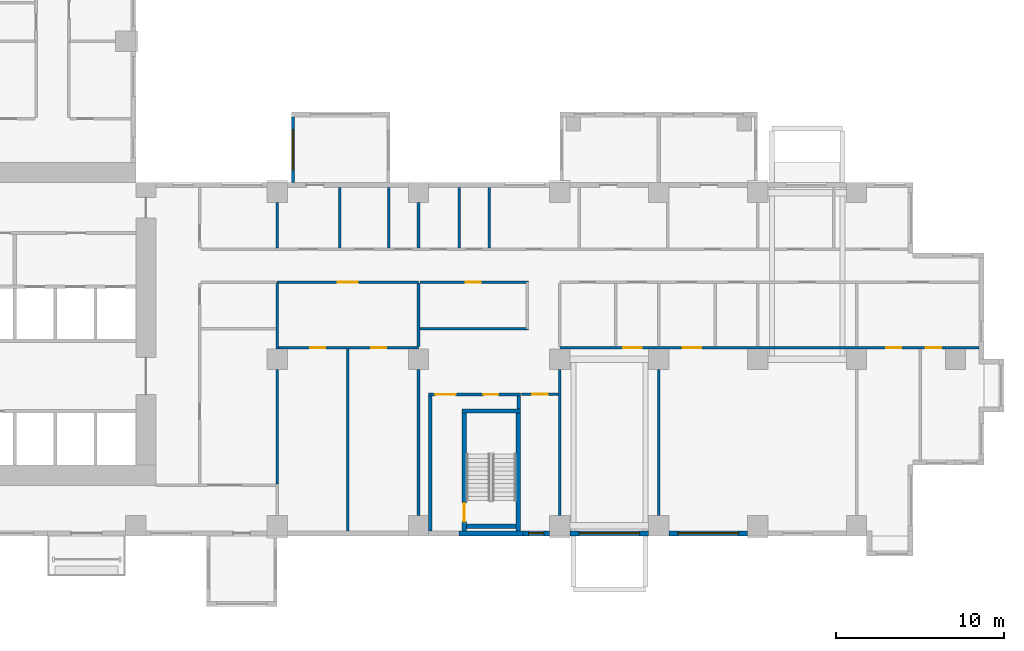
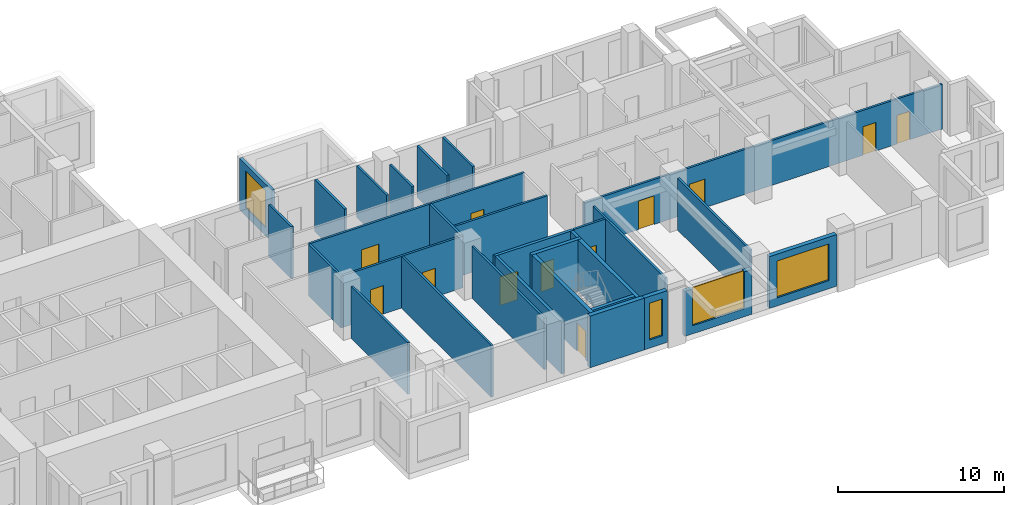
# One storey, part 6 of 17: 31 walls, 12 doors, 4 windows, 16 openings.
"""IFC4 building model written with IfcOpenShell, lengths in metres."""

from ifc_helpers import new_model, si_unit, direction, frame, frame_2d, origin, place, context, subcontext, project, spatial, rectangle, extrude, source, transform, mapped, material, layer, layer_set, type_object, element, fill, save


model = new_model("IFC4")

# Units and contexts
model_context = context("Model", 3, precision=1e-05, world=origin(), true_north=direction((0.0, 1.0)))
body_context = subcontext(model_context, "Body", "Model", "MODEL_VIEW")
ifc_project = project(units=[si_unit("LENGTHUNIT", "METRE"), si_unit("AREAUNIT", "SQUARE_METRE"), si_unit("VOLUMEUNIT", "CUBIC_METRE"), si_unit("PLANEANGLEUNIT", "RADIAN"), si_unit("MASSUNIT", "GRAM", prefix="KILO")], contexts=[model_context])

# Site, building, storey
site_placement = place(None, origin())
site = spatial("IfcSite", under=ifc_project, at=site_placement, CompositionType="ELEMENT")
building_placement = place(site_placement, origin())
building = spatial("IfcBuilding", under=site, at=building_placement, Name="Aurelian Terraces", CompositionType="ELEMENT")
storey_placement = place(building_placement, frame((0.0, 0.0, 69.9)))
storey = spatial("IfcBuildingStorey", under=building, at=storey_placement, Name="L14", CompositionType="ELEMENT", Elevation=69.9)

# Wall, opening, window
ifc_material_1 = material(Name="Terracotta rainscreen cladding", Category="masonry")
ifc_layer_1 = layer(ifc_material_1, 0.3)
ifc_layer_set_1 = layer_set([ifc_layer_1], Name="EW-300")
wall_type_1 = type_object("IfcWallType", Name="EW-300", PredefinedType="STANDARD", material=ifc_layer_set_1)
shared_shape_1 = source(origin(), body_context, "Body", "SweptSolid", [
    extrude(rectangle(XDim=4.68, YDim=0.3, at=frame_2d((2.34, 0.0))), origin(), (0.0, 0.0, 1.0), 3.8),
])
wall_1_placement = place(storey_placement, frame((52.68, 0.15, 0.0), z_axis=(0.0, 0.0, 1.0), x_axis=(1.0, 0.0, 0.0)))
wall_1 = element("IfcWall", 1, at=wall_1_placement, inside=storey, type_object=wall_type_1, Name="External wall L14 F01.9", PredefinedType="STANDARD", context=body_context, shape_type="MappedRepresentation", body=[
    mapped(shared_shape_1, transform((0.0, 0.0, 0.0), scale=1.0)),
])
shared_shape_2 = source(origin(), body_context, "Body", "SweptSolid", [
    extrude(rectangle(XDim=3.6, YDim=2.7, at=frame_2d((1.8, 1.35))), frame((0.0, 0.16, 0.0), z_axis=(0.0, -1.0, 0.0), x_axis=(1.0, 0.0, 0.0)), (0.0, 0.0, 1.0), 0.32),
])
opening_1_placement = place(wall_1_placement, frame((0.54, 0.0, 0.6)))
opening_1 = element("IfcOpeningElement", 2, at=opening_1_placement, cuts=wall_1, Name="Opening W3627", PredefinedType="OPENING", context=body_context, shape_type="MappedRepresentation", body=[
    mapped(shared_shape_2, transform((0.0, 0.0, 0.0), scale=1.0)),
])
ifc_material_2 = material(Name="Clear glazing", Category="glass")
window_type_1 = type_object("IfcWindowType", Name="W-3600x2700", PartitioningType="SINGLE_PANEL", PredefinedType="WINDOW", material=ifc_material_2)
shared_shape_3 = source(origin(), body_context, "Body", "SweptSolid", [
    extrude(rectangle(XDim=3.6, YDim=2.7, at=frame_2d((1.8, 1.35))), frame((0.0, 0.03, 0.0), z_axis=(0.0, -1.0, 0.0), x_axis=(1.0, 0.0, 0.0)), (0.0, 0.0, 1.0), 0.06),
])
window_1_placement = place(opening_1_placement, origin())
window_1 = element("IfcWindow", 3, at=window_1_placement, inside=storey, type_object=window_type_1, Name="Window L14 L14-F01-09-0", OverallHeight=2.7, OverallWidth=3.6, PartitioningType="SINGLE_PANEL", PredefinedType="WINDOW", context=body_context, shape_type="MappedRepresentation", body=[
    mapped(shared_shape_3, transform((0.0, 0.0, 0.0), scale=1.0)),
])
fill(opening_1, window_1)

shared_shape_4 = source(origin(), body_context, "Body", "SweptSolid", [
    extrude(rectangle(XDim=4.68, YDim=0.3, at=frame_2d((2.34, 0.0))), origin(), (0.0, 0.0, 1.0), 3.3),
])
wall_2_placement = place(storey_placement, frame((46.8, 0.15, 0.0), z_axis=(0.0, 0.0, 1.0), x_axis=(1.0, 0.0, 0.0)))
wall_2 = element("IfcWall", 4, at=wall_2_placement, inside=storey, type_object=wall_type_1, Name="External wall L14 F01.8", PredefinedType="STANDARD", context=body_context, shape_type="MappedRepresentation", body=[
    mapped(shared_shape_4, transform((0.0, 0.0, 0.0), scale=1.0)),
])
opening_2_placement = place(wall_2_placement, frame((0.54, 0.0, 0.6)))
opening_2 = element("IfcOpeningElement", 5, at=opening_2_placement, cuts=wall_2, Name="Opening W3627", PredefinedType="OPENING", context=body_context, shape_type="MappedRepresentation", body=[
    mapped(shared_shape_2, transform((0.0, 0.0, 0.0), scale=1.0)),
])
window_2_placement = place(opening_2_placement, origin())
window_2 = element("IfcWindow", 6, at=window_2_placement, inside=storey, type_object=window_type_1, Name="Window L14 L14-F01-08-0", OverallHeight=2.7, OverallWidth=3.6, PartitioningType="SINGLE_PANEL", PredefinedType="WINDOW", context=body_context, shape_type="MappedRepresentation", body=[
    mapped(shared_shape_3, transform((0.0, 0.0, 0.0), scale=1.0)),
])
fill(opening_2, window_2)

shared_shape_5 = source(origin(), body_context, "Body", "SweptSolid", [
    extrude(rectangle(XDim=1.6, YDim=0.3, at=frame_2d((0.8, 0.0))), origin(), (0.0, 0.0, 1.0), 3.8),
])
wall_3_placement = place(storey_placement, frame((44.0, 0.15, 0.0), z_axis=(0.0, 0.0, 1.0), x_axis=(1.0, 0.0, 0.0)))
wall_3 = element("IfcWall", 7, at=wall_3_placement, inside=storey, type_object=wall_type_1, Name="External wall L14 F01.7", PredefinedType="STANDARD", context=body_context, shape_type="MappedRepresentation", body=[
    mapped(shared_shape_5, transform((0.0, 0.0, 0.0), scale=1.0)),
])
shared_shape_6 = source(origin(), body_context, "Body", "SweptSolid", [
    extrude(rectangle(XDim=0.9, YDim=2.7, at=frame_2d((0.45, 1.35))), frame((0.0, 0.16, 0.0), z_axis=(0.0, -1.0, 0.0), x_axis=(1.0, 0.0, 0.0)), (0.0, 0.0, 1.0), 0.32),
])
opening_3_placement = place(wall_3_placement, frame((0.35, 0.0, 0.6)))
opening_3 = element("IfcOpeningElement", 8, at=opening_3_placement, cuts=wall_3, Name="Opening W0927", PredefinedType="OPENING", context=body_context, shape_type="MappedRepresentation", body=[
    mapped(shared_shape_6, transform((0.0, 0.0, 0.0), scale=1.0)),
])
window_type_2 = type_object("IfcWindowType", Name="W-900x2700", PartitioningType="SINGLE_PANEL", PredefinedType="WINDOW", material=ifc_material_2)
shared_shape_7 = source(origin(), body_context, "Body", "SweptSolid", [
    extrude(rectangle(XDim=0.9, YDim=2.7, at=frame_2d((0.45, 1.35))), frame((0.0, 0.03, 0.0), z_axis=(0.0, -1.0, 0.0), x_axis=(1.0, 0.0, 0.0)), (0.0, 0.0, 1.0), 0.06),
])
window_3_placement = place(opening_3_placement, origin())
window_3 = element("IfcWindow", 9, at=window_3_placement, inside=storey, type_object=window_type_2, Name="Window L14 L14-F01-07-P2", OverallHeight=2.7, OverallWidth=0.9, PartitioningType="SINGLE_PANEL", PredefinedType="WINDOW", context=body_context, shape_type="MappedRepresentation", body=[
    mapped(shared_shape_7, transform((0.0, 0.0, 0.0), scale=1.0)),
])
fill(opening_3, window_3)

# Wall
ifc_material_3 = material(Name="Concrete fc' 40 MPa", Category="concrete")
ifc_layer_2 = layer(ifc_material_3, 0.3)
ifc_layer_set_2 = layer_set([ifc_layer_2], Name="STAIR BAY WALL 300")
wall_type_2 = type_object("IfcWallType", Name="STAIR BAY WALL 300", PredefinedType="SOLIDWALL", material=ifc_layer_set_2)
shared_shape_8 = source(origin(), body_context, "Body", "SweptSolid", [
    extrude(rectangle(XDim=3.8, YDim=0.3, at=frame_2d((1.9, 0.0))), origin(), (0.0, 0.0, 1.0), 3.8),
])
wall_4_placement = place(storey_placement, frame((40.2, 0.15, 0.0), z_axis=(0.0, 0.0, 1.0), x_axis=(1.0, 0.0, 0.0)))
element("IfcWall", 10, at=wall_4_placement, inside=storey, type_object=wall_type_2, Name="Stair bay wall L14 F01.7", PredefinedType="SOLIDWALL", context=body_context, shape_type="MappedRepresentation", body=[
    mapped(shared_shape_8, transform((0.0, 0.0, 0.0), scale=1.0)),
])

# Wall, opening, window
ifc_layer_3 = layer(ifc_material_3, 0.2)
ifc_layer_set_3 = layer_set([ifc_layer_3], Name="BOX BEARING WALL 200")
wall_type_3 = type_object("IfcWallType", Name="BOX BEARING WALL 200", PredefinedType="SOLIDWALL", material=ifc_layer_set_3)
shared_shape_9 = source(origin(), body_context, "Body", "SweptSolid", [
    extrude(rectangle(XDim=3.9, YDim=0.2, at=frame_2d((1.95, 0.0))), origin(), (0.0, 0.0, 1.0), 3.8),
])
wall_5_placement = place(storey_placement, frame((30.34, 21.0, 0.0), z_axis=(0.0, 0.0, 1.0), x_axis=(0.0, 1.0, 0.0)))
wall_5 = element("IfcWall", 11, at=wall_5_placement, inside=storey, type_object=wall_type_3, Name="Box return L14 J13.2", PredefinedType="SOLIDWALL", context=body_context, shape_type="MappedRepresentation", body=[
    mapped(shared_shape_9, transform((0.0, 0.0, 0.0), scale=1.0)),
])
shared_shape_10 = source(origin(), body_context, "Body", "SweptSolid", [
    extrude(rectangle(XDim=2.4, YDim=2.7, at=frame_2d((1.2, 1.35))), frame((0.0, 0.11, 0.0), z_axis=(0.0, -1.0, 0.0), x_axis=(1.0, 0.0, 0.0)), (0.0, 0.0, 1.0), 0.22),
])
opening_4_placement = place(wall_5_placement, frame((0.75, 0.0, 0.6)))
opening_4 = element("IfcOpeningElement", 12, at=opening_4_placement, cuts=wall_5, Name="Opening W2427", PredefinedType="OPENING", context=body_context, shape_type="MappedRepresentation", body=[
    mapped(shared_shape_10, transform((0.0, 0.0, 0.0), scale=1.0)),
])
window_type_3 = type_object("IfcWindowType", Name="W-2400x2700", PartitioningType="SINGLE_PANEL", PredefinedType="WINDOW", material=ifc_material_2)
shared_shape_11 = source(origin(), body_context, "Body", "SweptSolid", [
    extrude(rectangle(XDim=2.4, YDim=2.7, at=frame_2d((1.2, 1.35))), frame((0.0, 0.03, 0.0), z_axis=(0.0, -1.0, 0.0), x_axis=(1.0, 0.0, 0.0)), (0.0, 0.0, 1.0), 0.06),
])
window_4_placement = place(opening_4_placement, origin())
window_4 = element("IfcWindow", 13, at=window_4_placement, inside=storey, type_object=window_type_3, Name="Window L14 J13-S2", OverallHeight=2.7, OverallWidth=2.4, PartitioningType="SINGLE_PANEL", PredefinedType="WINDOW", context=body_context, shape_type="MappedRepresentation", body=[
    mapped(shared_shape_11, transform((0.0, 0.0, 0.0), scale=1.0)),
])
fill(opening_4, window_4)

# Wall, opening, door
ifc_layer_4 = layer(ifc_material_3, 0.25)
ifc_layer_set_4 = layer_set([ifc_layer_4], Name="Stair enclosure wall 250")
wall_type_4 = type_object("IfcWallType", Name="Stair enclosure wall 250", PredefinedType="SOLIDWALL", material=ifc_layer_set_4)
shared_shape_12 = source(origin(), body_context, "Body", "SweptSolid", [
    extrude(rectangle(XDim=7.0, YDim=0.25, at=frame_2d((3.5, 0.0))), origin(), (0.0, 0.0, 1.0), 3.8),
])
wall_6_placement = place(storey_placement, frame((40.525, 0.3, 0.0), z_axis=(0.0, 0.0, 1.0), x_axis=(0.0, 1.0, 0.0)))
wall_6 = element("IfcWall", 14, at=wall_6_placement, inside=storey, type_object=wall_type_4, Name="L14 core wall ST-S2-W", PredefinedType="SOLIDWALL", context=body_context, shape_type="MappedRepresentation", body=[
    mapped(shared_shape_12, transform((0.0, 0.0, 0.0), scale=1.0)),
])
shared_shape_13 = source(origin(), body_context, "Body", "SweptSolid", [
    extrude(rectangle(XDim=1.1, YDim=2.1, at=frame_2d((0.55, 1.05))), frame((0.0, 0.135, 0.0), z_axis=(0.0, -1.0, 0.0), x_axis=(1.0, 0.0, 0.0)), (0.0, 0.0, 1.0), 0.27),
])
opening_5_placement = place(wall_6_placement, frame((0.55, 0.0, 0.0)))
opening_5 = element("IfcOpeningElement", 15, at=opening_5_placement, cuts=wall_6, Name="Opening 61715", PredefinedType="OPENING", context=body_context, shape_type="MappedRepresentation", body=[
    mapped(shared_shape_13, transform((0.0, 0.0, 0.0), scale=1.0)),
])
ifc_material_4 = material(Name="Steel door leaf", Category="steel")
door_type_1 = type_object("IfcDoorType", Name="Core fire door 1100x2100", OperationType="SINGLE_SWING_LEFT", PredefinedType="DOOR", material=ifc_material_4)
shared_shape_14 = source(origin(), body_context, "Body", "SweptSolid", [
    extrude(rectangle(XDim=1.1, YDim=2.1, at=frame_2d((0.55, 1.05))), frame((0.0, 0.025, 0.0), z_axis=(0.0, -1.0, 0.0), x_axis=(1.0, 0.0, 0.0)), (0.0, 0.0, 1.0), 0.05),
])
door_1_placement = place(opening_5_placement, origin())
door_1 = element("IfcDoor", 16, at=door_1_placement, inside=storey, type_object=door_type_1, Name="Stair door 61715", OperationType="SINGLE_SWING_LEFT", OverallHeight=2.1, OverallWidth=1.1, PredefinedType="DOOR", context=body_context, shape_type="MappedRepresentation", body=[
    mapped(shared_shape_14, transform((0.0, 0.0, 0.0), scale=1.0)),
])
fill(opening_5, door_1)

# Walls
wall_7_placement = place(storey_placement, frame((43.725, 0.3, 0.0), z_axis=(0.0, 0.0, 1.0), x_axis=(0.0, 1.0, 0.0)))
element("IfcWall", 17, at=wall_7_placement, inside=storey, type_object=wall_type_4, Name="L14 core wall ST-S2-E", PredefinedType="SOLIDWALL", context=body_context, shape_type="MappedRepresentation", body=[
    mapped(shared_shape_12, transform((0.0, 0.0, 0.0), scale=1.0)),
])
shared_shape_15 = source(origin(), body_context, "Body", "SweptSolid", [
    extrude(rectangle(XDim=3.45, YDim=0.25, at=frame_2d((1.725, 0.0))), origin(), (0.0, 0.0, 1.0), 3.8),
])
wall_8_placement = place(storey_placement, frame((40.4, 7.425, 0.0), z_axis=(0.0, 0.0, 1.0), x_axis=(1.0, 0.0, 0.0)))
element("IfcWall", 18, at=wall_8_placement, inside=storey, type_object=wall_type_4, Name="L14 core wall ST-S2-N", PredefinedType="SOLIDWALL", context=body_context, shape_type="MappedRepresentation", body=[
    mapped(shared_shape_15, transform((0.0, 0.0, 0.0), scale=1.0)),
])
shared_shape_16 = source(origin(), body_context, "Body", "SweptSolid", [
    extrude(rectangle(XDim=2.95, YDim=0.25, at=frame_2d((1.475, 0.0))), origin(), (0.0, 0.0, 1.0), 3.8),
])
wall_9_placement = place(storey_placement, frame((40.65, 0.575, 0.0), z_axis=(0.0, 0.0, 1.0), x_axis=(1.0, 0.0, 0.0)))
element("IfcWall", 19, at=wall_9_placement, inside=storey, type_object=wall_type_4, Name="L14 core wall ST-S2-SS", PredefinedType="SOLIDWALL", context=body_context, shape_type="MappedRepresentation", body=[
    mapped(shared_shape_16, transform((0.0, 0.0, 0.0), scale=1.0)),
])
ifc_material_5 = material(Name="Gypsum board on steel studs", Category="steel")
ifc_layer_5 = layer(ifc_material_5, 0.2)
ifc_layer_set_5 = layer_set([ifc_layer_5], Name="Core partition 200")
wall_type_5 = type_object("IfcWallType", Name="Core partition 200", PredefinedType="PARTITIONING", material=ifc_layer_set_5)
shared_shape_17 = source(origin(), body_context, "Body", "SweptSolid", [
    extrude(rectangle(XDim=8.0, YDim=0.2, at=frame_2d((4.0, 0.0))), origin(), (0.0, 0.0, 1.0), 3.8),
])
wall_10_placement = place(storey_placement, frame((38.5, 0.3, 0.0), z_axis=(0.0, 0.0, 1.0), x_axis=(0.0, 1.0, 0.0)))
element("IfcWall", 20, at=wall_10_placement, inside=storey, type_object=wall_type_5, Name="L14 core wall ST-S2-VW", PredefinedType="PARTITIONING", context=body_context, shape_type="MappedRepresentation", body=[
    mapped(shared_shape_17, transform((0.0, 0.0, 0.0), scale=1.0)),
])

# Wall, openings, doors
shared_shape_18 = source(origin(), body_context, "Body", "SweptSolid", [
    extrude(rectangle(XDim=5.45, YDim=0.2, at=frame_2d((2.725, 0.0))), origin(), (0.0, 0.0, 1.0), 3.8),
])
wall_11_placement = place(storey_placement, frame((38.4, 8.4, 0.0), z_axis=(0.0, 0.0, 1.0), x_axis=(1.0, 0.0, 0.0)))
wall_11 = element("IfcWall", 21, at=wall_11_placement, inside=storey, type_object=wall_type_5, Name="L14 core wall ST-S2-BN", PredefinedType="PARTITIONING", context=body_context, shape_type="MappedRepresentation", body=[
    mapped(shared_shape_18, transform((0.0, 0.0, 0.0), scale=1.0)),
])
shared_shape_19 = source(origin(), body_context, "Body", "SweptSolid", [
    extrude(rectangle(XDim=1.2, YDim=2.1, at=frame_2d((0.6, 1.05))), frame((0.0, 0.11, 0.0), z_axis=(0.0, -1.0, 0.0), x_axis=(1.0, 0.0, 0.0)), (0.0, 0.0, 1.0), 0.22),
])
opening_6_placement = place(wall_11_placement, frame((0.4, 0.0, 0.0)))
opening_6 = element("IfcOpeningElement", 22, at=opening_6_placement, cuts=wall_11, Name="Opening 61716", PredefinedType="OPENING", context=body_context, shape_type="MappedRepresentation", body=[
    mapped(shared_shape_19, transform((0.0, 0.0, 0.0), scale=1.0)),
])
shared_shape_20 = source(origin(), body_context, "Body", "SweptSolid", [
    extrude(rectangle(XDim=0.9, YDim=2.1, at=frame_2d((0.45, 1.05))), frame((0.0, 0.11, 0.0), z_axis=(0.0, -1.0, 0.0), x_axis=(1.0, 0.0, 0.0)), (0.0, 0.0, 1.0), 0.22),
])
opening_7_placement = place(wall_11_placement, frame((3.25, 0.0, 0.0)))
opening_7 = element("IfcOpeningElement", 23, at=opening_7_placement, cuts=wall_11, Name="Opening 61717", PredefinedType="OPENING", context=body_context, shape_type="MappedRepresentation", body=[
    mapped(shared_shape_20, transform((0.0, 0.0, 0.0), scale=1.0)),
])
door_type_2 = type_object("IfcDoorType", Name="Core riser door 900x2100", OperationType="SINGLE_SWING_LEFT", PredefinedType="DOOR", material=ifc_material_4)
shared_shape_21 = source(origin(), body_context, "Body", "SweptSolid", [
    extrude(rectangle(XDim=0.9, YDim=2.1, at=frame_2d((0.45, 1.05))), frame((0.0, 0.025, 0.0), z_axis=(0.0, -1.0, 0.0), x_axis=(1.0, 0.0, 0.0)), (0.0, 0.0, 1.0), 0.05),
])
door_2_placement = place(opening_7_placement, origin())
door_2 = element("IfcDoor", 24, at=door_2_placement, inside=storey, type_object=door_type_2, Name="Riser door 61717", OperationType="SINGLE_SWING_LEFT", OverallHeight=2.1, OverallWidth=0.9, PredefinedType="DOOR", context=body_context, shape_type="MappedRepresentation", body=[
    mapped(shared_shape_21, transform((0.0, 0.0, 0.0), scale=1.0)),
])
fill(opening_7, door_2)
door_type_3 = type_object("IfcDoorType", Name="Core fire door 1200x2100 right", OperationType="SINGLE_SWING_RIGHT", PredefinedType="DOOR", material=ifc_material_4)
shared_shape_22 = source(origin(), body_context, "Body", "SweptSolid", [
    extrude(rectangle(XDim=1.2, YDim=2.1, at=frame_2d((0.6, 1.05))), frame((0.0, 0.025, 0.0), z_axis=(0.0, -1.0, 0.0), x_axis=(1.0, 0.0, 0.0)), (0.0, 0.0, 1.0), 0.05),
])
door_3_placement = place(opening_6_placement, origin())
door_3 = element("IfcDoor", 25, at=door_3_placement, inside=storey, type_object=door_type_3, Name="Vestibule door 61716", OperationType="SINGLE_SWING_RIGHT", OverallHeight=2.1, OverallWidth=1.2, PredefinedType="DOOR", context=body_context, shape_type="MappedRepresentation", body=[
    mapped(shared_shape_22, transform((0.0, 0.0, 0.0), scale=1.0)),
])
fill(opening_6, door_3)

# Walls
shared_shape_23 = source(origin(), body_context, "Body", "SweptSolid", [
    extrude(rectangle(XDim=0.75, YDim=0.2, at=frame_2d((0.375, 0.0))), origin(), (0.0, 0.0, 1.0), 3.8),
])
wall_12_placement = place(storey_placement, frame((43.75, 7.55, 0.0), z_axis=(0.0, 0.0, 1.0), x_axis=(0.0, 1.0, 0.0)))
element("IfcWall", 26, at=wall_12_placement, inside=storey, type_object=wall_type_5, Name="L14 core wall ST-S2-RE", PredefinedType="PARTITIONING", context=body_context, shape_type="MappedRepresentation", body=[
    mapped(shared_shape_23, transform((0.0, 0.0, 0.0), scale=1.0)),
])
ifc_layer_6 = layer(ifc_material_5, 0.15)
ifc_layer_set_6 = layer_set([ifc_layer_6], Name="Partition 150")
wall_type_6 = type_object("IfcWallType", Name="Partition 150", PredefinedType="PARTITIONING", material=ifc_layer_set_6)
shared_shape_24 = source(origin(), body_context, "Body", "SweptSolid", [
    extrude(rectangle(XDim=6.45, YDim=0.15, at=frame_2d((3.225, 0.0))), origin(), (0.0, 0.0, 1.0), 3.8),
])
wall_13_placement = place(storey_placement, frame((37.875, 12.3, 0.0), z_axis=(0.0, 0.0, 1.0), x_axis=(1.0, 0.0, 0.0)))
element("IfcWall", 27, at=wall_13_placement, inside=storey, type_object=wall_type_6, Name="Partition", PredefinedType="PARTITIONING", context=body_context, shape_type="MappedRepresentation", body=[
    mapped(shared_shape_24, transform((0.0, 0.0, 0.0), scale=1.0)),
])

# Wall, opening, door
ifc_layer_7 = layer(ifc_material_5, 0.15)
ifc_layer_set_7 = layer_set([ifc_layer_7], Name="Fire partition 150")
wall_type_7 = type_object("IfcWallType", Name="Fire partition 150", PredefinedType="PARTITIONING", material=ifc_layer_set_7)
wall_14_placement = place(storey_placement, frame((44.325, 15.075, 0.0), z_axis=(0.0, 0.0, 1.0), x_axis=(-1.0, 0.0, 0.0)))
wall_14 = element("IfcWall", 28, at=wall_14_placement, inside=storey, type_object=wall_type_7, Name="Corridor wall", PredefinedType="PARTITIONING", context=body_context, shape_type="MappedRepresentation", body=[
    mapped(shared_shape_24, transform((0.0, 0.0, 0.0), scale=1.0)),
])
shared_shape_25 = source(origin(), body_context, "Body", "SweptSolid", [
    extrude(rectangle(XDim=0.9, YDim=2.1, at=frame_2d((0.45, 1.05))), frame((0.0, 0.085, 0.0), z_axis=(0.0, -1.0, 0.0), x_axis=(1.0, 0.0, 0.0)), (0.0, 0.0, 1.0), 0.17),
])
opening_8_placement = place(wall_14_placement, frame((2.8125, 0.0, 0.0)))
opening_8 = element("IfcOpeningElement", 29, at=opening_8_placement, cuts=wall_14, Name="Opening 714005", PredefinedType="OPENING", context=body_context, shape_type="MappedRepresentation", body=[
    mapped(shared_shape_25, transform((0.0, 0.0, 0.0), scale=1.0)),
])
ifc_material_6 = material(Name="Timber door leaf", Category="wood")
door_type_4 = type_object("IfcDoorType", Name="Room door 900x2100 right", OperationType="SINGLE_SWING_RIGHT", PredefinedType="DOOR", material=ifc_material_6)
door_4_placement = place(opening_8_placement, origin())
door_4 = element("IfcDoor", 30, at=door_4_placement, inside=storey, type_object=door_type_4, Name="Door 714005", OperationType="SINGLE_SWING_RIGHT", OverallHeight=2.1, OverallWidth=0.9, PredefinedType="DOOR", context=body_context, shape_type="MappedRepresentation", body=[
    mapped(shared_shape_21, transform((0.0, 0.0, 0.0), scale=1.0)),
])
fill(opening_8, door_4)

# Walls
shared_shape_26 = source(origin(), body_context, "Body", "SweptSolid", [
    extrude(rectangle(XDim=3.75, YDim=0.15, at=frame_2d((1.875, 0.0))), origin(), (0.0, 0.0, 1.0), 3.8),
])
wall_15_placement = place(storey_placement, frame((37.8, 11.25, 0.0), z_axis=(0.0, 0.0, 1.0), x_axis=(0.0, 1.0, 0.0)))
element("IfcWall", 31, at=wall_15_placement, inside=storey, type_object=wall_type_6, Name="Partition", PredefinedType="PARTITIONING", context=body_context, shape_type="MappedRepresentation", body=[
    mapped(shared_shape_26, transform((0.0, 0.0, 0.0), scale=1.0)),
])
shared_shape_27 = source(origin(), body_context, "Body", "SweptSolid", [
    extrude(rectangle(XDim=8.702, YDim=0.15, at=frame_2d((4.351, 0.0))), origin(), (0.0, 0.0, 1.0), 3.8),
])
for number, where, z_axis, x_axis, name in (
    (32, (37.8, 1.199, 0.0), (0.0, 0.0, 1.0), (0.0, 1.0, 0.0), "Partition"),
    (33, (46.2, 1.199, 0.0), (0.0, 0.0, 1.0), (0.0, 1.0, 0.0), "Partition"),
    (34, (52.08, 1.199, 0.0), (0.0, 0.0, 1.0), (0.0, 1.0, 0.0), "Partition"),
):
    element("IfcWall", number, at=place(storey_placement, frame(where, z_axis=z_axis, x_axis=x_axis)), inside=storey, type_object=wall_type_6, Name=name, PredefinedType="PARTITIONING", context=body_context, shape_type="MappedRepresentation", body=[
        mapped(shared_shape_27, transform((0.0, 0.0, 0.0), scale=1.0)),
    ])
shared_shape_28 = source(origin(), body_context, "Body", "SweptSolid", [
    extrude(rectangle(XDim=3.6, YDim=0.15, at=frame_2d((1.8, 0.0))), origin(), (0.0, 0.0, 1.0), 3.8),
])
for number, where, z_axis, x_axis, name in (
    (35, (33.1133, 20.7, 0.0), (0.0, 0.0, 1.0), (0.0, -1.0, 0.0), "Partition"),
    (36, (36.024, 20.7, 0.0), (0.0, 0.0, 1.0), (0.0, -1.0, 0.0), "Partition"),
    (37, (40.2157, 20.7, 0.0), (0.0, 0.0, 1.0), (0.0, -1.0, 0.0), "Partition"),
    (38, (42.0, 17.1, 0.0), (0.0, 0.0, 1.0), (0.0, 1.0, 0.0), "Partition"),
):
    element("IfcWall", number, at=place(storey_placement, frame(where, z_axis=z_axis, x_axis=x_axis)), inside=storey, type_object=wall_type_6, Name=name, PredefinedType="PARTITIONING", context=body_context, shape_type="MappedRepresentation", body=[
        mapped(shared_shape_28, transform((0.0, 0.0, 0.0), scale=1.0)),
    ])
shared_shape_29 = source(origin(), body_context, "Body", "SweptSolid", [
    extrude(rectangle(XDim=2.701, YDim=0.15, at=frame_2d((1.3505, 0.0))), origin(), (0.0, 0.0, 1.0), 3.8),
])
for number, where, z_axis, x_axis, name in (
    (39, (29.4, 17.1, 0.0), (0.0, 0.0, 1.0), (0.0, 1.0, 0.0), "Partition"),
    (40, (37.8, 17.1, 0.0), (0.0, 0.0, 1.0), (0.0, 1.0, 0.0), "Partition"),
):
    element("IfcWall", number, at=place(storey_placement, frame(where, z_axis=z_axis, x_axis=x_axis)), inside=storey, type_object=wall_type_6, Name=name, PredefinedType="PARTITIONING", context=body_context, shape_type="MappedRepresentation", body=[
        mapped(shared_shape_29, transform((0.0, 0.0, 0.0), scale=1.0)),
    ])

# Wall, openings, doors
shared_shape_30 = source(origin(), body_context, "Body", "SweptSolid", [
    extrude(rectangle(XDim=8.4, YDim=0.15, at=frame_2d((4.2, 0.0))), origin(), (0.0, 0.0, 1.0), 3.8),
])
wall_16_placement = place(storey_placement, frame((37.8, 11.175, 0.0), z_axis=(0.0, 0.0, 1.0), x_axis=(-1.0, 0.0, 0.0)))
wall_16 = element("IfcWall", 41, at=wall_16_placement, inside=storey, type_object=wall_type_6, Name="Partition", PredefinedType="PARTITIONING", context=body_context, shape_type="MappedRepresentation", body=[
    mapped(shared_shape_30, transform((0.0, 0.0, 0.0), scale=1.0)),
])
opening_9_placement = place(wall_16_placement, frame((5.5375, 0.0, 0.0)))
opening_9 = element("IfcOpeningElement", 42, at=opening_9_placement, cuts=wall_16, Name="Opening 714008", PredefinedType="OPENING", context=body_context, shape_type="MappedRepresentation", body=[
    mapped(shared_shape_25, transform((0.0, 0.0, 0.0), scale=1.0)),
])
opening_10_placement = place(wall_16_placement, frame((1.9125, 0.0, 0.0)))
opening_10 = element("IfcOpeningElement", 43, at=opening_10_placement, cuts=wall_16, Name="Opening 714009", PredefinedType="OPENING", context=body_context, shape_type="MappedRepresentation", body=[
    mapped(shared_shape_25, transform((0.0, 0.0, 0.0), scale=1.0)),
])
door_5_placement = place(opening_9_placement, origin())
door_5 = element("IfcDoor", 44, at=door_5_placement, inside=storey, type_object=door_type_4, Name="Door 714008", OperationType="SINGLE_SWING_RIGHT", OverallHeight=2.1, OverallWidth=0.9, PredefinedType="DOOR", context=body_context, shape_type="MappedRepresentation", body=[
    mapped(shared_shape_21, transform((0.0, 0.0, 0.0), scale=1.0)),
])
fill(opening_9, door_5)
door_type_5 = type_object("IfcDoorType", Name="Room door 900x2100 left", OperationType="SINGLE_SWING_LEFT", PredefinedType="DOOR", material=ifc_material_6)
door_6_placement = place(opening_10_placement, origin())
door_6 = element("IfcDoor", 45, at=door_6_placement, inside=storey, type_object=door_type_5, Name="Door 714009", OperationType="SINGLE_SWING_LEFT", OverallHeight=2.1, OverallWidth=0.9, PredefinedType="DOOR", context=body_context, shape_type="MappedRepresentation", body=[
    mapped(shared_shape_21, transform((0.0, 0.0, 0.0), scale=1.0)),
])
fill(opening_10, door_6)

# Wall, opening, door
wall_17_placement = place(storey_placement, frame((37.8, 15.075, 0.0), z_axis=(0.0, 0.0, 1.0), x_axis=(-1.0, 0.0, 0.0)))
wall_17 = element("IfcWall", 46, at=wall_17_placement, inside=storey, type_object=wall_type_7, Name="Corridor wall", PredefinedType="PARTITIONING", context=body_context, shape_type="MappedRepresentation", body=[
    mapped(shared_shape_30, transform((0.0, 0.0, 0.0), scale=1.0)),
])
shared_shape_31 = source(origin(), body_context, "Body", "SweptSolid", [
    extrude(rectangle(XDim=1.2, YDim=2.1, at=frame_2d((0.6, 1.05))), frame((0.0, 0.085, 0.0), z_axis=(0.0, -1.0, 0.0), x_axis=(1.0, 0.0, 0.0)), (0.0, 0.0, 1.0), 0.17),
])
opening_11_placement = place(wall_17_placement, frame((3.6, 0.0, 0.0)))
opening_11 = element("IfcOpeningElement", 47, at=opening_11_placement, cuts=wall_17, Name="Opening 714007", PredefinedType="OPENING", context=body_context, shape_type="MappedRepresentation", body=[
    mapped(shared_shape_31, transform((0.0, 0.0, 0.0), scale=1.0)),
])
door_type_6 = type_object("IfcDoorType", Name="Room door 1200x2100 left", OperationType="SINGLE_SWING_LEFT", PredefinedType="DOOR", material=ifc_material_6)
door_7_placement = place(opening_11_placement, origin())
door_7 = element("IfcDoor", 48, at=door_7_placement, inside=storey, type_object=door_type_6, Name="Door 714007", OperationType="SINGLE_SWING_LEFT", OverallHeight=2.1, OverallWidth=1.2, PredefinedType="DOOR", context=body_context, shape_type="MappedRepresentation", body=[
    mapped(shared_shape_22, transform((0.0, 0.0, 0.0), scale=1.0)),
])
fill(opening_11, door_7)

# Walls
shared_shape_32 = source(origin(), body_context, "Body", "SweptSolid", [
    extrude(rectangle(XDim=6.826, YDim=0.15, at=frame_2d((3.413, 0.0))), origin(), (0.0, 0.0, 1.0), 3.8),
])
wall_18_placement = place(storey_placement, frame((29.4, 3.075, 0.0), z_axis=(0.0, 0.0, 1.0), x_axis=(0.0, 1.0, 0.0)))
element("IfcWall", 49, at=wall_18_placement, inside=storey, type_object=wall_type_6, Name="Partition", PredefinedType="PARTITIONING", context=body_context, shape_type="MappedRepresentation", body=[
    mapped(shared_shape_32, transform((0.0, 0.0, 0.0), scale=1.0)),
])
shared_shape_33 = source(origin(), body_context, "Body", "SweptSolid", [
    extrude(rectangle(XDim=3.901, YDim=0.15, at=frame_2d((1.9505, 0.0))), origin(), (0.0, 0.0, 1.0), 3.8),
])
wall_19_placement = place(storey_placement, frame((29.4, 11.099, 0.0), z_axis=(0.0, 0.0, 1.0), x_axis=(0.0, 1.0, 0.0)))
element("IfcWall", 50, at=wall_19_placement, inside=storey, type_object=wall_type_6, Name="Partition", PredefinedType="PARTITIONING", context=body_context, shape_type="MappedRepresentation", body=[
    mapped(shared_shape_33, transform((0.0, 0.0, 0.0), scale=1.0)),
])

# Wall, opening, door
shared_shape_34 = source(origin(), body_context, "Body", "SweptSolid", [
    extrude(rectangle(XDim=2.2, YDim=0.15, at=frame_2d((1.1, 0.0))), origin(), (0.0, 0.0, 1.0), 3.8),
])
wall_20_placement = place(storey_placement, frame((46.125, 8.425, 0.0), z_axis=(0.0, 0.0, 1.0), x_axis=(-1.0, 0.0, 0.0)))
wall_20 = element("IfcWall", 51, at=wall_20_placement, inside=storey, type_object=wall_type_6, Name="Partition", PredefinedType="PARTITIONING", context=body_context, shape_type="MappedRepresentation", body=[
    mapped(shared_shape_34, transform((0.0, 0.0, 0.0), scale=1.0)),
])
opening_12_placement = place(wall_20_placement, frame((0.65, 0.0, 0.0)))
opening_12 = element("IfcOpeningElement", 52, at=opening_12_placement, cuts=wall_20, Name="Opening 714006", PredefinedType="OPENING", context=body_context, shape_type="MappedRepresentation", body=[
    mapped(shared_shape_25, transform((0.0, 0.0, 0.0), scale=1.0)),
])
door_8_placement = place(opening_12_placement, origin())
door_8 = element("IfcDoor", 53, at=door_8_placement, inside=storey, type_object=door_type_4, Name="Door 714006", OperationType="SINGLE_SWING_RIGHT", OverallHeight=2.1, OverallWidth=0.9, PredefinedType="DOOR", context=body_context, shape_type="MappedRepresentation", body=[
    mapped(shared_shape_21, transform((0.0, 0.0, 0.0), scale=1.0)),
])
fill(opening_12, door_8)

# Wall
shared_shape_35 = source(origin(), body_context, "Body", "SweptSolid", [
    extrude(rectangle(XDim=10.8, YDim=0.15, at=frame_2d((5.4, 0.0))), origin(), (0.0, 0.0, 1.0), 3.8),
])
wall_21_placement = place(storey_placement, frame((33.6, 0.3, 0.0), z_axis=(0.0, 0.0, 1.0), x_axis=(0.0, 1.0, 0.0)))
element("IfcWall", 54, at=wall_21_placement, inside=storey, type_object=wall_type_6, Name="Partition", PredefinedType="PARTITIONING", context=body_context, shape_type="MappedRepresentation", body=[
    mapped(shared_shape_35, transform((0.0, 0.0, 0.0), scale=1.0)),
])

# Wall, openings, doors
shared_shape_36 = source(origin(), body_context, "Body", "SweptSolid", [
    extrude(rectangle(XDim=24.9, YDim=0.15, at=frame_2d((12.45, 0.0))), origin(), (0.0, 0.0, 1.0), 3.3),
])
wall_22_placement = place(storey_placement, frame((71.1, 11.175, 0.0), z_axis=(0.0, 0.0, 1.0), x_axis=(-1.0, 0.0, 0.0)))
wall_22 = element("IfcWall", 55, at=wall_22_placement, inside=storey, type_object=wall_type_6, Name="Partition", PredefinedType="PARTITIONING", context=body_context, shape_type="MappedRepresentation", body=[
    mapped(shared_shape_36, transform((0.0, 0.0, 0.0), scale=1.0)),
])
shared_shape_37 = source(origin(), body_context, "Body", "SweptSolid", [
    extrude(rectangle(XDim=1.1, YDim=2.1, at=frame_2d((0.55, 1.05))), frame((0.0, 0.085, 0.0), z_axis=(0.0, -1.0, 0.0), x_axis=(1.0, 0.0, 0.0)), (0.0, 0.0, 1.0), 0.17),
])
opening_13_placement = place(wall_22_placement, frame((20.0167, 0.0, 0.0)))
opening_13 = element("IfcOpeningElement", 56, at=opening_13_placement, cuts=wall_22, Name="Opening 714011", PredefinedType="OPENING", context=body_context, shape_type="MappedRepresentation", body=[
    mapped(shared_shape_37, transform((0.0, 0.0, 0.0), scale=1.0)),
])
opening_14_placement = place(wall_22_placement, frame((16.4811, 0.0, 0.0)))
opening_14 = element("IfcOpeningElement", 57, at=opening_14_placement, cuts=wall_22, Name="Opening 714014", PredefinedType="OPENING", context=body_context, shape_type="MappedRepresentation", body=[
    mapped(shared_shape_37, transform((0.0, 0.0, 0.0), scale=1.0)),
])
opening_15_placement = place(wall_22_placement, frame((4.6075, 0.0, 0.0)))
opening_15 = element("IfcOpeningElement", 58, at=opening_15_placement, cuts=wall_22, Name="Opening 714018", PredefinedType="OPENING", context=body_context, shape_type="MappedRepresentation", body=[
    mapped(shared_shape_25, transform((0.0, 0.0, 0.0), scale=1.0)),
])
opening_16_placement = place(wall_22_placement, frame((2.2425, 0.0, 0.0)))
opening_16 = element("IfcOpeningElement", 59, at=opening_16_placement, cuts=wall_22, Name="Opening 714019", PredefinedType="OPENING", context=body_context, shape_type="MappedRepresentation", body=[
    mapped(shared_shape_25, transform((0.0, 0.0, 0.0), scale=1.0)),
])
door_9_placement = place(opening_15_placement, origin())
door_9 = element("IfcDoor", 60, at=door_9_placement, inside=storey, type_object=door_type_4, Name="Door 714018", OperationType="SINGLE_SWING_RIGHT", OverallHeight=2.1, OverallWidth=0.9, PredefinedType="DOOR", context=body_context, shape_type="MappedRepresentation", body=[
    mapped(shared_shape_21, transform((0.0, 0.0, 0.0), scale=1.0)),
])
fill(opening_15, door_9)
door_10_placement = place(opening_16_placement, origin())
door_10 = element("IfcDoor", 61, at=door_10_placement, inside=storey, type_object=door_type_5, Name="Door 714019", OperationType="SINGLE_SWING_LEFT", OverallHeight=2.1, OverallWidth=0.9, PredefinedType="DOOR", context=body_context, shape_type="MappedRepresentation", body=[
    mapped(shared_shape_21, transform((0.0, 0.0, 0.0), scale=1.0)),
])
fill(opening_16, door_10)
door_type_7 = type_object("IfcDoorType", Name="Room door 1100x2100 right", OperationType="SINGLE_SWING_RIGHT", PredefinedType="DOOR", material=ifc_material_6)
door_11_placement = place(opening_13_placement, origin())
door_11 = element("IfcDoor", 62, at=door_11_placement, inside=storey, type_object=door_type_7, Name="Door 714011", OperationType="SINGLE_SWING_RIGHT", OverallHeight=2.1, OverallWidth=1.1, PredefinedType="DOOR", context=body_context, shape_type="MappedRepresentation", body=[
    mapped(shared_shape_14, transform((0.0, 0.0, 0.0), scale=1.0)),
])
fill(opening_13, door_11)
door_12_placement = place(opening_14_placement, origin())
door_12 = element("IfcDoor", 63, at=door_12_placement, inside=storey, type_object=door_type_7, Name="Door 714014", OperationType="SINGLE_SWING_RIGHT", OverallHeight=2.1, OverallWidth=1.1, PredefinedType="DOOR", context=body_context, shape_type="MappedRepresentation", body=[
    mapped(shared_shape_14, transform((0.0, 0.0, 0.0), scale=1.0)),
])
fill(opening_14, door_12)

save(model, "model.ifc")
